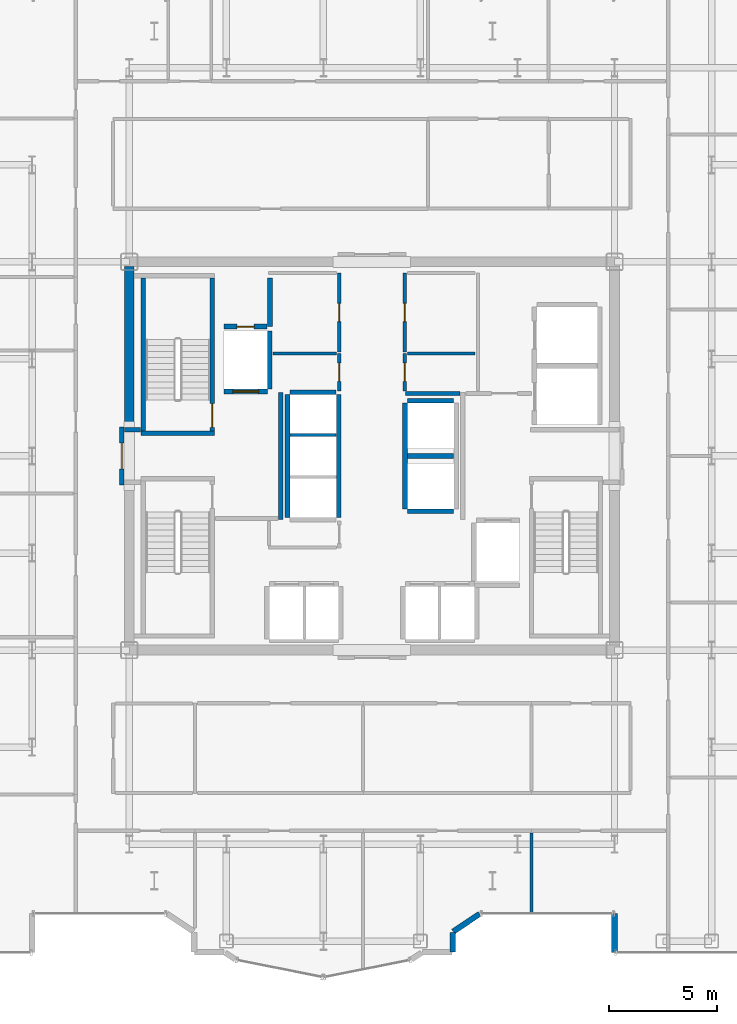
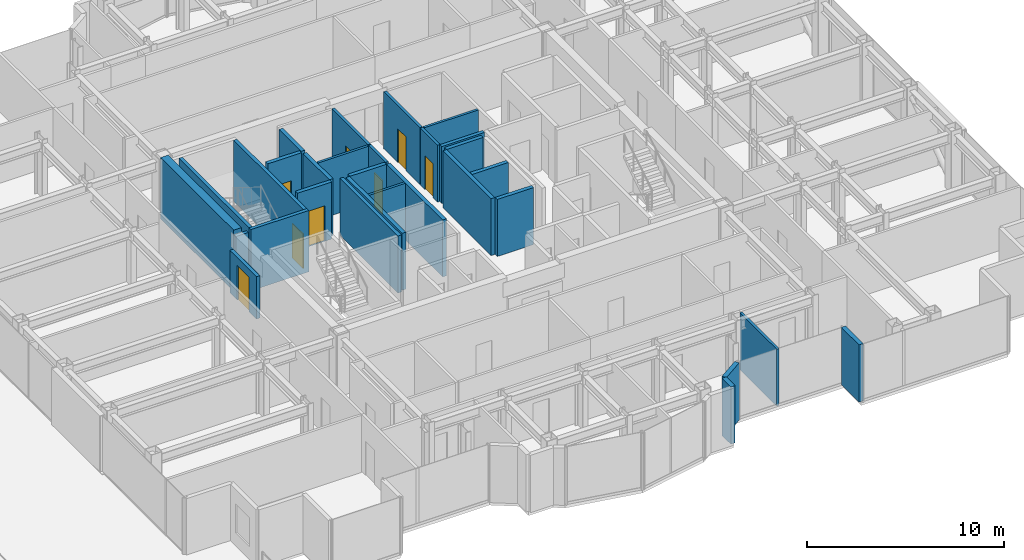
# One storey, part 15 of 21: 30 walls, 8 doors, 8 openings.
"""IFC4 building model written with IfcOpenShell, lengths in metres."""

from ifc_helpers import new_model, si_unit, direction, frame, frame_2d, origin, place, context, subcontext, project, spatial, rectangle, extrude, source, transform, mapped, material, layer, layer_set, type_object, element, fill, save


model = new_model("IFC4")

# Units and contexts
model_context = context("Model", 3, precision=1e-05, world=origin(), true_north=direction((0.0, 1.0)))
body_context = subcontext(model_context, "Body", "Model", "MODEL_VIEW")
ifc_project = project(units=[si_unit("LENGTHUNIT", "METRE"), si_unit("AREAUNIT", "SQUARE_METRE"), si_unit("VOLUMEUNIT", "CUBIC_METRE"), si_unit("PLANEANGLEUNIT", "RADIAN"), si_unit("MASSUNIT", "GRAM", prefix="KILO")], contexts=[model_context])

# Site, building, storey
site_placement = place(None, origin())
site = spatial("IfcSite", under=ifc_project, at=site_placement, CompositionType="ELEMENT")
building_placement = place(site_placement, origin())
building = spatial("IfcBuilding", under=site, at=building_placement, Name="Nefas-Gora Pilgrimage Tower", CompositionType="ELEMENT")
storey_placement = place(building_placement, frame((0.0, 0.0, 206.60009765625)))
storey = spatial("IfcBuildingStorey", under=building, at=storey_placement, Name="L51", CompositionType="ELEMENT", Elevation=206.60009765625)

# Walls
ifc_material_1 = material(Name="Concrete C50/60", Category="concrete")
ifc_layer_1 = layer(ifc_material_1, 0.449951171875)
ifc_layer_set_1 = layer_set([ifc_layer_1], Name="Concrete C50/60")
wall_type_1 = type_object("IfcWallType", Name="SW-CORE-450", PredefinedType="SHEAR", material=ifc_layer_set_1)
shared_shape_1 = source(origin(), body_context, "Body", "SweptSolid", [
    extrude(rectangle(XDim=7.4248046875, YDim=0.449951171875, at=frame_2d((3.71240234375, 0.0))), origin(), (0.0, 0.0, 1.0), 3.7998046875),
])
wall_1_placement = place(storey_placement, frame((-11.25, 1.35009765625, 0.0), z_axis=(0.0, 0.0, 1.0), x_axis=(0.0, 1.0, 0.0)))
element("IfcWall", 1, at=wall_1_placement, inside=storey, type_object=wall_type_1, Name="L51 Core Shear Wall W-North", PredefinedType="SHEAR", context=body_context, shape_type="MappedRepresentation", body=[
    mapped(shared_shape_1, transform((0.0, 0.0, 0.0), x_axis=(1.0, 0.0, 0.0), y_axis=(0.0, 1.0, 0.0), z_axis=(0.0, 0.0, 1.0), scale=1.0)),
])
ifc_material_2 = material(Name="Precast concrete C40/50", Category="concrete")
ifc_layer_2 = layer(ifc_material_2, 0.260009765625)
ifc_layer_set_2 = layer_set([ifc_layer_2], Name="Precast concrete C40/50")
wall_type_2 = type_object("IfcWallType", Name="EW-PORTAL-260", PredefinedType="SOLIDWALL", material=ifc_layer_set_2)
shared_shape_2 = source(origin(), body_context, "Body", "SweptSolid", [
    extrude(rectangle(XDim=1.800048828125, YDim=0.260009765625, at=frame_2d((0.89990234375, 0.0))), origin(), (0.0, 0.0, 1.0), 3.5498046875),
])
wall_2_placement = place(storey_placement, frame((11.25, -21.219970703125, 0.0), z_axis=(0.0, 0.0, 1.0), x_axis=(0.0, -1.0, 0.0)))
element("IfcWall", 2, at=wall_2_placement, inside=storey, type_object=wall_type_2, Name="L51 Lobe Shoulder Precast Spandrel Pier 5", PredefinedType="SOLIDWALL", context=body_context, shape_type="MappedRepresentation", body=[
    mapped(shared_shape_2, transform((0.0, 0.0, 0.0), x_axis=(1.0, 0.0, 0.0), y_axis=(0.0, 1.0, 0.0), z_axis=(0.0, 0.0, 1.0), scale=1.0)),
])
shared_shape_3 = source(origin(), body_context, "Body", "SweptSolid", [
    extrude(rectangle(XDim=1.468994140625, YDim=0.260009765625, at=frame_2d((0.734375, 0.0))), origin(), (0.0, 0.0, 1.0), 3.5498046875),
])
wall_3_placement = place(storey_placement, frame((3.773193359375, -22.0517578125, 0.0), z_axis=(0.0, 0.0, 1.0), x_axis=(0.831461760506, 0.555581983884, 0.0)))
element("IfcWall", 3, at=wall_3_placement, inside=storey, type_object=wall_type_2, Name="L51 Lobe Shoulder Precast Spandrel Pier 40", PredefinedType="SOLIDWALL", context=body_context, shape_type="MappedRepresentation", body=[
    mapped(shared_shape_3, transform((0.0, 0.0, 0.0), x_axis=(1.0, 0.0, 0.0), y_axis=(0.0, 1.0, 0.0), z_axis=(0.0, 0.0, 1.0), scale=1.0)),
])
shared_shape_4 = source(origin(), body_context, "Body", "SweptSolid", [
    extrude(rectangle(XDim=0.896728515625, YDim=0.260009765625, at=frame_2d((0.4482421875, 0.0))), origin(), (0.0, 0.0, 1.0), 3.5498046875),
])
wall_4_placement = place(storey_placement, frame((3.75, -22.991943359375, 0.0), z_axis=(0.0, 0.0, 1.0), x_axis=(0.0, 1.0, 0.0)))
element("IfcWall", 4, at=wall_4_placement, inside=storey, type_object=wall_type_2, Name="L51 Lobe Shoulder Precast Spandrel Pier 39", PredefinedType="SOLIDWALL", context=body_context, shape_type="MappedRepresentation", body=[
    mapped(shared_shape_4, transform((0.0, 0.0, 0.0), x_axis=(1.0, 0.0, 0.0), y_axis=(0.0, 1.0, 0.0), z_axis=(0.0, 0.0, 1.0), scale=1.0)),
])
ifc_material_3 = material(Name="Concrete C45/55", Category="concrete")
ifc_layer_3 = layer(ifc_material_3, 0.199951171875)
ifc_layer_set_3 = layer_set([ifc_layer_3], Name="Concrete C45/55")
wall_type_3 = type_object("IfcWallType", Name="IW-STAIR-200", PredefinedType="SOLIDWALL", material=ifc_layer_set_3)
shared_shape_5 = source(origin(), body_context, "Body", "SweptSolid", [
    extrude(rectangle(XDim=3.39990234375, YDim=0.199951171875, at=frame_2d((1.699951171875, 0.0))), origin(), (0.0, 0.0, 1.0), 3.7998046875),
])
wall_5_placement = place(storey_placement, frame((-7.300048828125, 1.050048828125, 0.0), z_axis=(0.0, 0.0, 1.0), x_axis=(-1.0, 0.0, 0.0)))
element("IfcWall", 5, at=wall_5_placement, inside=storey, type_object=wall_type_3, Name="L51 Stairwell Shear Wall ST-01-near", PredefinedType="SOLIDWALL", context=body_context, shape_type="MappedRepresentation", body=[
    mapped(shared_shape_5, transform((0.0, 0.0, 0.0), x_axis=(1.0, 0.0, 0.0), y_axis=(0.0, 1.0, 0.0), z_axis=(0.0, 0.0, 1.0), scale=1.0)),
])

# Wall, opening, door
shared_shape_6 = source(origin(), body_context, "Body", "SweptSolid", [
    extrude(rectangle(XDim=7.10009765625, YDim=0.199951171875, at=frame_2d((3.550048828125, 0.0))), origin(), (0.0, 0.0, 1.0), 3.7998046875),
])
wall_6_placement = place(storey_placement, frame((-7.39990234375, 1.14990234375, 0.0), z_axis=(0.0, 0.0, 1.0), x_axis=(0.0, 1.0, 0.0)))
wall_6 = element("IfcWall", 6, at=wall_6_placement, inside=storey, type_object=wall_type_3, Name="L51 Stairwell Shear Wall ST-01-left", PredefinedType="SOLIDWALL", context=body_context, shape_type="MappedRepresentation", body=[
    mapped(shared_shape_6, transform((0.0, 0.0, 0.0), x_axis=(1.0, 0.0, 0.0), y_axis=(0.0, 1.0, 0.0), z_axis=(0.0, 0.0, 1.0), scale=1.0)),
])
opening_1_placement = place(wall_6_placement, frame((0.179931640625, 0.0, 0.0)))
opening_1 = element("IfcOpeningElement", 7, at=opening_1_placement, cuts=wall_6, Name="Opening ID-ST1", PredefinedType="OPENING", context=body_context, shape_type="SweptSolid", body=[
    extrude(rectangle(XDim=1.10009765625, YDim=2.14990234375, at=frame_2d((0.550048828125, 1.074951171875))), frame((0.0, 0.10986328125, 0.0), z_axis=(0.0, -1.0, 0.0), x_axis=(1.0, 0.0, 0.0)), (0.0, 0.0, 1.0), 0.219970703125),
])
ifc_material_4 = material(Name="Painted galvanised steel fire stair door", Category="steel")
door_type_1 = type_object("IfcDoorType", Name="DR-INT-STAIR-1100", OperationType="NOTDEFINED", PredefinedType="DOOR", material=ifc_material_4)
shared_shape_7 = source(origin(), body_context, "Body", "SweptSolid", [
    extrude(rectangle(XDim=1.10009765625, YDim=2.14990234375, at=frame_2d((0.550048828125, 1.074951171875))), frame((0.0, 0.02490234375, 0.0), z_axis=(0.0, -1.0, 0.0), x_axis=(1.0, 0.0, 0.0)), (0.0, 0.0, 1.0), 0.050048828125),
])
door_1_placement = place(opening_1_placement, origin())
door_1 = element("IfcDoor", 8, at=door_1_placement, inside=storey, type_object=door_type_1, Name="L51 Protected Exit Stair Door ST-01", OperationType="SINGLE_SWING_LEFT", OverallHeight=2.14990234375, OverallWidth=1.10009765625, PredefinedType="DOOR", context=body_context, shape_type="MappedRepresentation", body=[
    mapped(shared_shape_7, transform((0.0, 0.0, 0.0), x_axis=(1.0, 0.0, 0.0), y_axis=(0.0, 1.0, 0.0), z_axis=(0.0, 0.0, 1.0), scale=1.0)),
])
fill(opening_1, door_1)

# Wall
wall_7_placement = place(storey_placement, frame((-10.60009765625, 1.14990234375, 0.0), z_axis=(0.0, 0.0, 1.0), x_axis=(0.0, 1.0, 0.0)))
element("IfcWall", 9, at=wall_7_placement, inside=storey, type_object=wall_type_3, Name="L51 Stairwell Shear Wall ST-01-right", PredefinedType="SOLIDWALL", context=body_context, shape_type="MappedRepresentation", body=[
    mapped(shared_shape_6, transform((0.0, 0.0, 0.0), x_axis=(1.0, 0.0, 0.0), y_axis=(0.0, 1.0, 0.0), z_axis=(0.0, 0.0, 1.0), scale=1.0)),
])

# Wall, opening, door
ifc_material_5 = material(Name="Concrete C40/50", Category="concrete")
ifc_layer_4 = layer(ifc_material_5, 0.219970703125)
ifc_layer_set_4 = layer_set([ifc_layer_4], Name="Concrete C40/50")
wall_type_4 = type_object("IfcWallType", Name="IW-SHAFT-220", PredefinedType="SOLIDWALL", material=ifc_layer_set_4)
shared_shape_8 = source(origin(), body_context, "Body", "SweptSolid", [
    extrude(rectangle(XDim=2.0, YDim=0.219970703125, at=frame_2d((1.0, 0.0))), origin(), (0.0, 0.0, 1.0), 3.534912109375),
])
wall_8_placement = place(storey_placement, frame((-6.85009765625, 2.989990234375, 0.0), z_axis=(0.0, 0.0, 1.0), x_axis=(1.0, 0.0, 0.0)))
wall_8 = element("IfcWall", 10, at=wall_8_placement, inside=storey, type_object=wall_type_4, Name="L51 Hoistway Wall FFL-01-S", PredefinedType="SOLIDWALL", context=body_context, shape_type="MappedRepresentation", body=[
    mapped(shared_shape_8, transform((0.0, 0.0, 0.0), x_axis=(1.0, 0.0, 0.0), y_axis=(0.0, 1.0, 0.0), z_axis=(0.0, 0.0, 1.0), scale=1.0)),
])
opening_2_placement = place(wall_8_placement, frame((0.39990234375, 0.0, 0.0)))
opening_2 = element("IfcOpeningElement", 11, at=opening_2_placement, cuts=wall_8, Name="Opening LD-FF", PredefinedType="OPENING", context=body_context, shape_type="SweptSolid", body=[
    extrude(rectangle(XDim=1.199951171875, YDim=2.199951171875, at=frame_2d((0.60009765625, 1.10009765625))), frame((0.0, 0.119873046875, 0.0), z_axis=(0.0, -1.0, 0.0), x_axis=(1.0, 0.0, 0.0)), (0.0, 0.0, 1.0), 0.239990234375),
])
ifc_material_6 = material(Name="Fire-service sliding lift landing door")
door_type_2 = type_object("IfcDoorType", Name="DR-LIFT-FSAE-1200", OperationType="SLIDING_TO_LEFT", PredefinedType="DOOR", material=ifc_material_6)
shared_shape_9 = source(origin(), body_context, "Body", "SweptSolid", [
    extrude(rectangle(XDim=1.199951171875, YDim=2.199951171875, at=frame_2d((0.60009765625, 1.10009765625))), frame((0.0, 0.02490234375, 0.0), z_axis=(0.0, -1.0, 0.0), x_axis=(1.0, 0.0, 0.0)), (0.0, 0.0, 1.0), 0.050048828125),
])
door_2_placement = place(opening_2_placement, origin())
door_2 = element("IfcDoor", 12, at=door_2_placement, inside=storey, type_object=door_type_2, Name="L51 Sliding Lift Landing Door FFL-01", OperationType="SLIDING_TO_LEFT", OverallHeight=2.199951171875, OverallWidth=1.199951171875, PredefinedType="DOOR", context=body_context, shape_type="MappedRepresentation", body=[
    mapped(shared_shape_9, transform((0.0, 0.0, 0.0), x_axis=(1.0, 0.0, 0.0), y_axis=(0.0, 1.0, 0.0), z_axis=(0.0, 0.0, 1.0), scale=1.0)),
])
fill(opening_2, door_2)

# Walls
shared_shape_10 = source(origin(), body_context, "Body", "SweptSolid", [
    extrude(rectangle(XDim=2.679931640625, YDim=0.219970703125, at=frame_2d((1.33984375, 0.0))), origin(), (0.0, 0.0, 1.0), 3.534912109375),
])
wall_9_placement = place(storey_placement, frame((-4.739990234375, 3.110107421875, 0.0), z_axis=(0.0, 0.0, 1.0), x_axis=(0.0, 1.0, 0.0)))
element("IfcWall", 13, at=wall_9_placement, inside=storey, type_object=wall_type_4, Name="L51 Hoistway Wall FFL-01-E", PredefinedType="SOLIDWALL", context=body_context, shape_type="MappedRepresentation", body=[
    mapped(shared_shape_10, transform((0.0, 0.0, 0.0), x_axis=(1.0, 0.0, 0.0), y_axis=(0.0, 1.0, 0.0), z_axis=(0.0, 0.0, 1.0), scale=1.0)),
])
shared_shape_11 = source(origin(), body_context, "Body", "SweptSolid", [
    extrude(rectangle(XDim=5.7001953125, YDim=0.219970703125, at=frame_2d((2.85009765625, 0.0))), origin(), (0.0, 0.0, 1.0), 3.534912109375),
])
for number, where, z_axis, x_axis, name in (
    (14, (-1.5400390625, -2.85009765625, 0.0), (0.0, 0.0, 1.0), (0.0, 1.0, 0.0), "L51 Hoistway Wall PL3-01-03-E"),
    (15, (-3.909912109375, 2.85009765625, 0.0), (0.0, 0.0, 1.0), (0.0, -1.0, 0.0), "L51 Hoistway Wall PL3-01-03-W"),
):
    element("IfcWall", number, at=place(storey_placement, frame(where, z_axis=z_axis, x_axis=x_axis)), inside=storey, type_object=wall_type_4, Name=name, PredefinedType="SOLIDWALL", context=body_context, shape_type="MappedRepresentation", body=[
        mapped(shared_shape_11, transform((0.0, 0.0, 0.0), x_axis=(1.0, 0.0, 0.0), y_axis=(0.0, 1.0, 0.0), z_axis=(0.0, 0.0, 1.0), scale=1.0)),
    ])
shared_shape_12 = source(origin(), body_context, "Body", "SweptSolid", [
    extrude(rectangle(XDim=2.130126953125, YDim=0.219970703125, at=frame_2d((1.06494140625, 0.0))), origin(), (0.0, 0.0, 1.0), 3.534912109375),
])
for number, where, z_axis, x_axis, name in (
    (16, (-1.659912109375, 2.9599609375, 0.0), (0.0, 0.0, 1.0), (-1.0, 0.0, 0.0), "L51 Hoistway Wall PL3-03-N"),
    (17, (1.659912109375, -2.56005859375, 0.0), (0.0, 0.0, 1.0), (1.0, 0.0, 0.0), "L51 Hoistway Wall OBS-01-S"),
    (18, (1.659912109375, 0.0, 0.0), (0.0, 0.0, 1.0), (1.0, 0.0, 0.0), "L51 Hoistway Wall OBS-01-02-DIV"),
    (19, (3.7900390625, 2.56005859375, 0.0), (0.0, 0.0, 1.0), (-1.0, 0.0, 0.0), "L51 Hoistway Wall OBS-02-N"),
):
    element("IfcWall", number, at=place(storey_placement, frame(where, z_axis=z_axis, x_axis=x_axis)), inside=storey, type_object=wall_type_4, Name=name, PredefinedType="SOLIDWALL", context=body_context, shape_type="MappedRepresentation", body=[
        mapped(shared_shape_12, transform((0.0, 0.0, 0.0), x_axis=(1.0, 0.0, 0.0), y_axis=(0.0, 1.0, 0.0), z_axis=(0.0, 0.0, 1.0), scale=1.0)),
    ])
ifc_material_7 = material(Name="Gypsum twin-stud partition")
ifc_layer_5 = layer(ifc_material_7, 0.139892578125)
ifc_layer_set_5 = layer_set([ifc_layer_5], Name="Gypsum twin-stud partition")
wall_type_5 = type_object("IfcWallType", Name="IW-UNIT-140", PredefinedType="PARTITIONING", material=ifc_layer_set_5)
shared_shape_13 = source(origin(), body_context, "Body", "SweptSolid", [
    extrude(rectangle(XDim=2.130126953125, YDim=0.139892578125, at=frame_2d((1.06494140625, 0.0))), origin(), (0.0, 0.0, 1.0), 3.534912109375),
])
wall_10_placement = place(storey_placement, frame((-3.7900390625, 0.97509765625, 0.0), z_axis=(0.0, 0.0, 1.0), x_axis=(1.0, 0.0, 0.0)))
element("IfcWall", 20, at=wall_10_placement, inside=storey, type_object=wall_type_5, Name="L51 Hoistway Wall PL3-02-03-DIV", PredefinedType="PARTITIONING", context=body_context, shape_type="MappedRepresentation", body=[
    mapped(shared_shape_13, transform((0.0, 0.0, 0.0), x_axis=(1.0, 0.0, 0.0), y_axis=(0.0, 1.0, 0.0), z_axis=(0.0, 0.0, 1.0), scale=1.0)),
])
shared_shape_14 = source(origin(), body_context, "Body", "SweptSolid", [
    extrude(rectangle(XDim=4.89990234375, YDim=0.219970703125, at=frame_2d((2.449951171875, 0.0))), origin(), (0.0, 0.0, 1.0), 3.534912109375),
])
wall_11_placement = place(storey_placement, frame((1.5400390625, 2.449951171875, 0.0), z_axis=(0.0, 0.0, 1.0), x_axis=(0.0, -1.0, 0.0)))
element("IfcWall", 21, at=wall_11_placement, inside=storey, type_object=wall_type_4, Name="L51 Hoistway Wall OBS-01-02-W", PredefinedType="SOLIDWALL", context=body_context, shape_type="MappedRepresentation", body=[
    mapped(shared_shape_14, transform((0.0, 0.0, 0.0), x_axis=(1.0, 0.0, 0.0), y_axis=(0.0, 1.0, 0.0), z_axis=(0.0, 0.0, 1.0), scale=1.0)),
])
ifc_material_8 = material(Name="Gypsum fire-rated shaftwall")
ifc_layer_6 = layer(ifc_material_8, 0.199951171875)
ifc_layer_set_6 = layer_set([ifc_layer_6], Name="Gypsum fire-rated shaftwall")
wall_type_6 = type_object("IfcWallType", Name="IW-FFLOB-200", PredefinedType="PARTITIONING", material=ifc_layer_set_6)
shared_shape_15 = source(origin(), body_context, "Body", "SweptSolid", [
    extrude(rectangle(XDim=5.89990234375, YDim=0.199951171875, at=frame_2d((2.949951171875, 0.0))), origin(), (0.0, 0.0, 1.0), 3.534912109375),
])
wall_12_placement = place(storey_placement, frame((-4.219970703125, -2.949951171875, 0.0), z_axis=(0.0, 0.0, 1.0), x_axis=(0.0, 1.0, 0.0)))
element("IfcWall", 22, at=wall_12_placement, inside=storey, type_object=wall_type_6, Name="L51 FF Lobby West Inner Wall Wall 5", PredefinedType="PARTITIONING", context=body_context, shape_type="MappedRepresentation", body=[
    mapped(shared_shape_15, transform((0.0, 0.0, 0.0), x_axis=(1.0, 0.0, 0.0), y_axis=(0.0, 1.0, 0.0), z_axis=(0.0, 0.0, 1.0), scale=1.0)),
])
shared_shape_16 = source(origin(), body_context, "Body", "SweptSolid", [
    extrude(rectangle(XDim=0.719970703125, YDim=0.199951171875, at=frame_2d((0.35986328125, 0.0))), origin(), (0.0, 0.0, 1.0), 3.534912109375),
])
wall_13_placement = place(storey_placement, frame((-11.4599609375, 1.219970703125, 0.0), z_axis=(0.0, 0.0, 1.0), x_axis=(1.0, 0.0, 0.0)))
element("IfcWall", 23, at=wall_13_placement, inside=storey, type_object=wall_type_6, Name="L51 FF Lobby West Throat N Wall 7", PredefinedType="PARTITIONING", context=body_context, shape_type="MappedRepresentation", body=[
    mapped(shared_shape_16, transform((0.0, 0.0, 0.0), x_axis=(1.0, 0.0, 0.0), y_axis=(0.0, 1.0, 0.0), z_axis=(0.0, 0.0, 1.0), scale=1.0)),
])
shared_shape_17 = source(origin(), body_context, "Body", "SweptSolid", [
    extrude(rectangle(XDim=2.9501953125, YDim=0.139892578125, at=frame_2d((1.47509765625, 0.0))), origin(), (0.0, 0.0, 1.0), 3.534912109375),
])
wall_14_placement = place(storey_placement, frame((-4.590087890625, 4.75, 0.0), z_axis=(0.0, 0.0, 1.0), x_axis=(1.0, 0.0, 0.0)))
element("IfcWall", 24, at=wall_14_placement, inside=storey, type_object=wall_type_5, Name="L51 Housekeeping and Linen Store Partition Wall 19", PredefinedType="PARTITIONING", context=body_context, shape_type="MappedRepresentation", body=[
    mapped(shared_shape_17, transform((0.0, 0.0, 0.0), x_axis=(1.0, 0.0, 0.0), y_axis=(0.0, 1.0, 0.0), z_axis=(0.0, 0.0, 1.0), scale=1.0)),
])
shared_shape_18 = source(origin(), body_context, "Body", "SweptSolid", [
    extrude(rectangle(XDim=3.150146484375, YDim=0.139892578125, at=frame_2d((1.5751953125, 0.0))), origin(), (0.0, 0.0, 1.0), 3.534912109375),
])
wall_15_placement = place(storey_placement, frame((1.639892578125, 4.75, 0.0), z_axis=(0.0, 0.0, 1.0), x_axis=(1.0, 0.0, 0.0)))
element("IfcWall", 25, at=wall_15_placement, inside=storey, type_object=wall_type_5, Name="L51 Clean Blanket and Robe Store Partition Wall 23", PredefinedType="PARTITIONING", context=body_context, shape_type="MappedRepresentation", body=[
    mapped(shared_shape_18, transform((0.0, 0.0, 0.0), x_axis=(1.0, 0.0, 0.0), y_axis=(0.0, 1.0, 0.0), z_axis=(0.0, 0.0, 1.0), scale=1.0)),
])
shared_shape_19 = source(origin(), body_context, "Body", "SweptSolid", [
    extrude(rectangle(XDim=3.75, YDim=0.139892578125, at=frame_2d((1.875, 0.0))), origin(), (0.0, 0.0, 1.0), 3.534912109375),
])
wall_16_placement = place(storey_placement, frame((7.39501953125, -21.239990234375, 0.0), z_axis=(0.0, 0.0, 1.0), x_axis=(0.0, 1.0, 0.0)))
element("IfcWall", 26, at=wall_16_placement, inside=storey, type_object=wall_type_5, Name="L51 Pilgrim Contemplative Lounge Partition Wall 84", PredefinedType="PARTITIONING", context=body_context, shape_type="MappedRepresentation", body=[
    mapped(shared_shape_19, transform((0.0, 0.0, 0.0), x_axis=(1.0, 0.0, 0.0), y_axis=(0.0, 1.0, 0.0), z_axis=(0.0, 0.0, 1.0), scale=1.0)),
])
shared_shape_20 = source(origin(), body_context, "Body", "SweptSolid", [
    extrude(rectangle(XDim=2.25, YDim=0.219970703125, at=frame_2d((1.125, 0.0))), origin(), (0.0, 0.0, 1.0), 3.534912109375),
])
wall_17_placement = place(storey_placement, frame((-4.719970703125, 6.0, 0.0), z_axis=(0.0, 0.0, 1.0), x_axis=(0.0, 1.0, 0.0)))
element("IfcWall", 27, at=wall_17_placement, inside=storey, type_object=wall_type_4, Name="L51 Riser Shaft Wall 1", PredefinedType="SOLIDWALL", context=body_context, shape_type="MappedRepresentation", body=[
    mapped(shared_shape_20, transform((0.0, 0.0, 0.0), x_axis=(1.0, 0.0, 0.0), y_axis=(0.0, 1.0, 0.0), z_axis=(0.0, 0.0, 1.0), scale=1.0)),
])

# Wall, opening, door
shared_shape_21 = source(origin(), body_context, "Body", "SweptSolid", [
    extrude(rectangle(XDim=1.97998046875, YDim=0.219970703125, at=frame_2d((0.989990234375, 0.0))), origin(), (0.0, 0.0, 1.0), 3.534912109375),
])
wall_18_placement = place(storey_placement, frame((-6.85009765625, 6.0, 0.0), z_axis=(0.0, 0.0, 1.0), x_axis=(1.0, 0.0, 0.0)))
wall_18 = element("IfcWall", 28, at=wall_18_placement, inside=storey, type_object=wall_type_4, Name="L51 Riser Shaft Wall 2", PredefinedType="SOLIDWALL", context=body_context, shape_type="MappedRepresentation", body=[
    mapped(shared_shape_21, transform((0.0, 0.0, 0.0), x_axis=(1.0, 0.0, 0.0), y_axis=(0.0, 1.0, 0.0), z_axis=(0.0, 0.0, 1.0), scale=1.0)),
])
opening_3_placement = place(wall_18_placement, frame((0.590087890625, 0.0, 0.0)))
opening_3 = element("IfcOpeningElement", 29, at=opening_3_placement, cuts=wall_18, Name="Opening ID-TR1", PredefinedType="OPENING", context=body_context, shape_type="SweptSolid", body=[
    extrude(rectangle(XDim=0.800048828125, YDim=2.0, at=frame_2d((0.39990234375, 1.0))), frame((0.0, 0.119873046875, 0.0), z_axis=(0.0, -1.0, 0.0), x_axis=(1.0, 0.0, 0.0)), (0.0, 0.0, 1.0), 0.239990234375),
])
ifc_material_9 = material(Name="Riser maintenance fire access door")
door_type_3 = type_object("IfcDoorType", Name="DR-INT-TRAP-800", OperationType="NOTDEFINED", PredefinedType="TRAPDOOR", material=ifc_material_9)
shared_shape_22 = source(origin(), body_context, "Body", "SweptSolid", [
    extrude(rectangle(XDim=0.800048828125, YDim=2.0, at=frame_2d((0.39990234375, 1.0))), frame((0.0, 0.02490234375, 0.0), z_axis=(0.0, -1.0, 0.0), x_axis=(1.0, 0.0, 0.0)), (0.0, 0.0, 1.0), 0.050048828125),
])
door_3_placement = place(opening_3_placement, origin())
door_3 = element("IfcDoor", 30, at=door_3_placement, inside=storey, type_object=door_type_3, Name="L51 Riser Shaft Door 1", OperationType="SINGLE_SWING_LEFT", OverallHeight=2.0, OverallWidth=0.800048828125, PredefinedType="TRAPDOOR", context=body_context, shape_type="MappedRepresentation", body=[
    mapped(shared_shape_22, transform((0.0, 0.0, 0.0), x_axis=(1.0, 0.0, 0.0), y_axis=(0.0, 1.0, 0.0), z_axis=(0.0, 0.0, 1.0), scale=1.0)),
])
fill(opening_3, door_3)

# Wall
shared_shape_23 = source(origin(), body_context, "Body", "SweptSolid", [
    extrude(rectangle(XDim=2.52001953125, YDim=0.199951171875, at=frame_2d((1.260009765625, 0.0))), origin(), (0.0, 0.0, 1.0), 3.534912109375),
])
wall_19_placement = place(storey_placement, frame((1.56005859375, 2.89990234375, 0.0), z_axis=(0.0, 0.0, 1.0), x_axis=(1.0, 0.0, 0.0)))
element("IfcWall", 31, at=wall_19_placement, inside=storey, type_object=wall_type_6, Name="L51 FF Lobby East North Wall Wall 11", PredefinedType="PARTITIONING", context=body_context, shape_type="MappedRepresentation", body=[
    mapped(shared_shape_23, transform((0.0, 0.0, 0.0), x_axis=(1.0, 0.0, 0.0), y_axis=(0.0, 1.0, 0.0), z_axis=(0.0, 0.0, 1.0), scale=1.0)),
])

# Wall, opening, door
ifc_material_10 = material(Name="Gypsum acoustic stud partition")
ifc_layer_7 = layer(ifc_material_10, 0.159912109375)
ifc_layer_set_7 = layer_set([ifc_layer_7], Name="Gypsum acoustic stud partition")
wall_type_7 = type_object("IfcWallType", Name="IW-CORR-160", PredefinedType="PARTITIONING", material=ifc_layer_set_7)
shared_shape_24 = source(origin(), body_context, "Body", "SweptSolid", [
    extrude(rectangle(XDim=1.75, YDim=0.159912109375, at=frame_2d((0.875, 0.0))), origin(), (0.0, 0.0, 1.0), 3.534912109375),
])
wall_20_placement = place(storey_placement, frame((-1.52001953125, 3.010009765625, 0.0), z_axis=(0.0, 0.0, 1.0), x_axis=(0.0, 1.0, 0.0)))
wall_20 = element("IfcWall", 32, at=wall_20_placement, inside=storey, type_object=wall_type_7, Name="L51 Housekeeping and Linen Store Wall 18", PredefinedType="PARTITIONING", context=body_context, shape_type="MappedRepresentation", body=[
    mapped(shared_shape_24, transform((0.0, 0.0, 0.0), x_axis=(1.0, 0.0, 0.0), y_axis=(0.0, 1.0, 0.0), z_axis=(0.0, 0.0, 1.0), scale=1.0)),
])
opening_4_placement = place(wall_20_placement, frame((0.449951171875, 0.0, 0.0)))
opening_4 = element("IfcOpeningElement", 33, at=opening_4_placement, cuts=wall_20, Name="Opening ID-BT1", PredefinedType="OPENING", context=body_context, shape_type="SweptSolid", body=[
    extrude(rectangle(XDim=0.85009765625, YDim=2.10009765625, at=frame_2d((0.425048828125, 1.050048828125))), frame((0.0, 0.08984375, 0.0), z_axis=(0.0, -1.0, 0.0), x_axis=(1.0, 0.0, 0.0)), (0.0, 0.0, 1.0), 0.179931640625),
])
ifc_material_11 = material(Name="Moisture-resistant fire-rated timber door", Category="wood")
door_type_4 = type_object("IfcDoorType", Name="DR-INT-BATH-850", OperationType="NOTDEFINED", PredefinedType="DOOR", material=ifc_material_11)
shared_shape_25 = source(origin(), body_context, "Body", "SweptSolid", [
    extrude(rectangle(XDim=0.85009765625, YDim=2.10009765625, at=frame_2d((0.425048828125, 1.050048828125))), frame((0.0, 0.02490234375, 0.0), z_axis=(0.0, -1.0, 0.0), x_axis=(1.0, 0.0, 0.0)), (0.0, 0.0, 1.0), 0.050048828125),
])
door_4_placement = place(opening_4_placement, origin())
door_4 = element("IfcDoor", 34, at=door_4_placement, inside=storey, type_object=door_type_4, Name="L51 Housekeeping and Linen Store Door 7", OperationType="SINGLE_SWING_LEFT", OverallHeight=2.10009765625, OverallWidth=0.85009765625, PredefinedType="DOOR", context=body_context, shape_type="MappedRepresentation", body=[
    mapped(shared_shape_25, transform((0.0, 0.0, 0.0), x_axis=(1.0, 0.0, 0.0), y_axis=(0.0, 1.0, 0.0), z_axis=(0.0, 0.0, 1.0), scale=1.0)),
])
fill(opening_4, door_4)

wall_21_placement = place(storey_placement, frame((1.52001953125, 3.010009765625, 0.0), z_axis=(0.0, 0.0, 1.0), x_axis=(0.0, 1.0, 0.0)))
wall_21 = element("IfcWall", 35, at=wall_21_placement, inside=storey, type_object=wall_type_7, Name="L51 Clean Blanket and Robe Store Wall 22", PredefinedType="PARTITIONING", context=body_context, shape_type="MappedRepresentation", body=[
    mapped(shared_shape_24, transform((0.0, 0.0, 0.0), x_axis=(1.0, 0.0, 0.0), y_axis=(0.0, 1.0, 0.0), z_axis=(0.0, 0.0, 1.0), scale=1.0)),
])
opening_5_placement = place(wall_21_placement, frame((0.449951171875, 0.0, 0.0)))
opening_5 = element("IfcOpeningElement", 36, at=opening_5_placement, cuts=wall_21, Name="Opening ID-BT1", PredefinedType="OPENING", context=body_context, shape_type="SweptSolid", body=[
    extrude(rectangle(XDim=0.85009765625, YDim=2.10009765625, at=frame_2d((0.425048828125, 1.050048828125))), frame((0.0, 0.08984375, 0.0), z_axis=(0.0, -1.0, 0.0), x_axis=(1.0, 0.0, 0.0)), (0.0, 0.0, 1.0), 0.179931640625),
])
door_5_placement = place(opening_5_placement, origin())
door_5 = element("IfcDoor", 37, at=door_5_placement, inside=storey, type_object=door_type_4, Name="L51 Clean Blanket and Robe Store Door 9", OperationType="SINGLE_SWING_LEFT", OverallHeight=2.10009765625, OverallWidth=0.85009765625, PredefinedType="DOOR", context=body_context, shape_type="MappedRepresentation", body=[
    mapped(shared_shape_25, transform((0.0, 0.0, 0.0), x_axis=(1.0, 0.0, 0.0), y_axis=(0.0, 1.0, 0.0), z_axis=(0.0, 0.0, 1.0), scale=1.0)),
])
fill(opening_5, door_5)

shared_shape_26 = source(origin(), body_context, "Body", "SweptSolid", [
    extrude(rectangle(XDim=3.679931640625, YDim=0.159912109375, at=frame_2d((1.83984375, 0.0))), origin(), (0.0, 0.0, 1.0), 3.534912109375),
])
wall_22_placement = place(storey_placement, frame((-1.52001953125, 4.81005859375, 0.0), z_axis=(0.0, 0.0, 1.0), x_axis=(0.0, 1.0, 0.0)))
wall_22 = element("IfcWall", 38, at=wall_22_placement, inside=storey, type_object=wall_type_7, Name="L51 Archival Supply Store Wall 20", PredefinedType="PARTITIONING", context=body_context, shape_type="MappedRepresentation", body=[
    mapped(shared_shape_26, transform((0.0, 0.0, 0.0), x_axis=(1.0, 0.0, 0.0), y_axis=(0.0, 1.0, 0.0), z_axis=(0.0, 0.0, 1.0), scale=1.0)),
])
opening_6_placement = place(wall_22_placement, frame((1.4150390625, 0.0, 0.0)))
opening_6 = element("IfcOpeningElement", 39, at=opening_6_placement, cuts=wall_22, Name="Opening ID-BT1", PredefinedType="OPENING", context=body_context, shape_type="SweptSolid", body=[
    extrude(rectangle(XDim=0.85009765625, YDim=2.10009765625, at=frame_2d((0.425048828125, 1.050048828125))), frame((0.0, 0.08984375, 0.0), z_axis=(0.0, -1.0, 0.0), x_axis=(1.0, 0.0, 0.0)), (0.0, 0.0, 1.0), 0.179931640625),
])
door_6_placement = place(opening_6_placement, origin())
door_6 = element("IfcDoor", 40, at=door_6_placement, inside=storey, type_object=door_type_4, Name="L51 Archival Supply Store Door 8", OperationType="SINGLE_SWING_RIGHT", OverallHeight=2.10009765625, OverallWidth=0.85009765625, PredefinedType="DOOR", context=body_context, shape_type="MappedRepresentation", body=[
    mapped(shared_shape_25, transform((0.0, 0.0, 0.0), x_axis=(1.0, 0.0, 0.0), y_axis=(0.0, 1.0, 0.0), z_axis=(0.0, 0.0, 1.0), scale=1.0)),
])
fill(opening_6, door_6)

wall_23_placement = place(storey_placement, frame((1.52001953125, 4.81005859375, 0.0), z_axis=(0.0, 0.0, 1.0), x_axis=(0.0, 1.0, 0.0)))
wall_23 = element("IfcWall", 41, at=wall_23_placement, inside=storey, type_object=wall_type_7, Name="L51 Amenity Supply Store Wall 24", PredefinedType="PARTITIONING", context=body_context, shape_type="MappedRepresentation", body=[
    mapped(shared_shape_26, transform((0.0, 0.0, 0.0), x_axis=(1.0, 0.0, 0.0), y_axis=(0.0, 1.0, 0.0), z_axis=(0.0, 0.0, 1.0), scale=1.0)),
])
opening_7_placement = place(wall_23_placement, frame((1.4150390625, 0.0, 0.0)))
opening_7 = element("IfcOpeningElement", 42, at=opening_7_placement, cuts=wall_23, Name="Opening ID-BT1", PredefinedType="OPENING", context=body_context, shape_type="SweptSolid", body=[
    extrude(rectangle(XDim=0.85009765625, YDim=2.10009765625, at=frame_2d((0.425048828125, 1.050048828125))), frame((0.0, 0.08984375, 0.0), z_axis=(0.0, -1.0, 0.0), x_axis=(1.0, 0.0, 0.0)), (0.0, 0.0, 1.0), 0.179931640625),
])
door_7_placement = place(opening_7_placement, origin())
door_7 = element("IfcDoor", 43, at=door_7_placement, inside=storey, type_object=door_type_4, Name="L51 Amenity Supply Store Door 10", OperationType="SINGLE_SWING_RIGHT", OverallHeight=2.10009765625, OverallWidth=0.85009765625, PredefinedType="DOOR", context=body_context, shape_type="MappedRepresentation", body=[
    mapped(shared_shape_25, transform((0.0, 0.0, 0.0), x_axis=(1.0, 0.0, 0.0), y_axis=(0.0, 1.0, 0.0), z_axis=(0.0, 0.0, 1.0), scale=1.0)),
])
fill(opening_7, door_7)

shared_shape_27 = source(origin(), body_context, "Body", "SweptSolid", [
    extrude(rectangle(XDim=2.7001953125, YDim=0.199951171875, at=frame_2d((1.35009765625, 0.0))), origin(), (0.0, 0.0, 1.0), 2.625),
])
wall_24_placement = place(storey_placement, frame((-11.60009765625, -1.35009765625, 0.0), z_axis=(0.0, 0.0, 1.0), x_axis=(0.0, 1.0, 0.0)))
wall_24 = element("IfcWall", 44, at=wall_24_placement, inside=storey, type_object=wall_type_6, Name="L51 FF Lobby West Portal Wall 4", PredefinedType="PARTITIONING", context=body_context, shape_type="MappedRepresentation", body=[
    mapped(shared_shape_27, transform((0.0, 0.0, 0.0), x_axis=(1.0, 0.0, 0.0), y_axis=(0.0, 1.0, 0.0), z_axis=(0.0, 0.0, 1.0), scale=1.0)),
])
opening_8_placement = place(wall_24_placement, frame((0.75, 0.0, 0.0)))
opening_8 = element("IfcOpeningElement", 45, at=opening_8_placement, cuts=wall_24, Name="Opening ID-FF1", PredefinedType="OPENING", context=body_context, shape_type="SweptSolid", body=[
    extrude(rectangle(XDim=1.199951171875, YDim=2.14990234375, at=frame_2d((0.60009765625, 1.074951171875))), frame((0.0, 0.10986328125, 0.0), z_axis=(0.0, -1.0, 0.0), x_axis=(1.0, 0.0, 0.0)), (0.0, 0.0, 1.0), 0.219970703125),
])
ifc_material_12 = material(Name="Smoke-sealed steel firefighting lobby door", Category="steel")
door_type_5 = type_object("IfcDoorType", Name="DR-INT-FFLOB-1200", OperationType="NOTDEFINED", PredefinedType="DOOR", material=ifc_material_12)
shared_shape_28 = source(origin(), body_context, "Body", "SweptSolid", [
    extrude(rectangle(XDim=1.199951171875, YDim=2.14990234375, at=frame_2d((0.60009765625, 1.074951171875))), frame((0.0, 0.02490234375, 0.0), z_axis=(0.0, -1.0, 0.0), x_axis=(1.0, 0.0, 0.0)), (0.0, 0.0, 1.0), 0.050048828125),
])
door_8_placement = place(opening_8_placement, origin())
door_8 = element("IfcDoor", 46, at=door_8_placement, inside=storey, type_object=door_type_5, Name="L51 FF Lobby West Portal Door 2", OperationType="SINGLE_SWING_RIGHT", OverallHeight=2.14990234375, OverallWidth=1.199951171875, PredefinedType="DOOR", context=body_context, shape_type="MappedRepresentation", body=[
    mapped(shared_shape_28, transform((0.0, 0.0, 0.0), x_axis=(1.0, 0.0, 0.0), y_axis=(0.0, 1.0, 0.0), z_axis=(0.0, 0.0, 1.0), scale=1.0)),
])
fill(opening_8, door_8)

save(model, "model.ifc")
